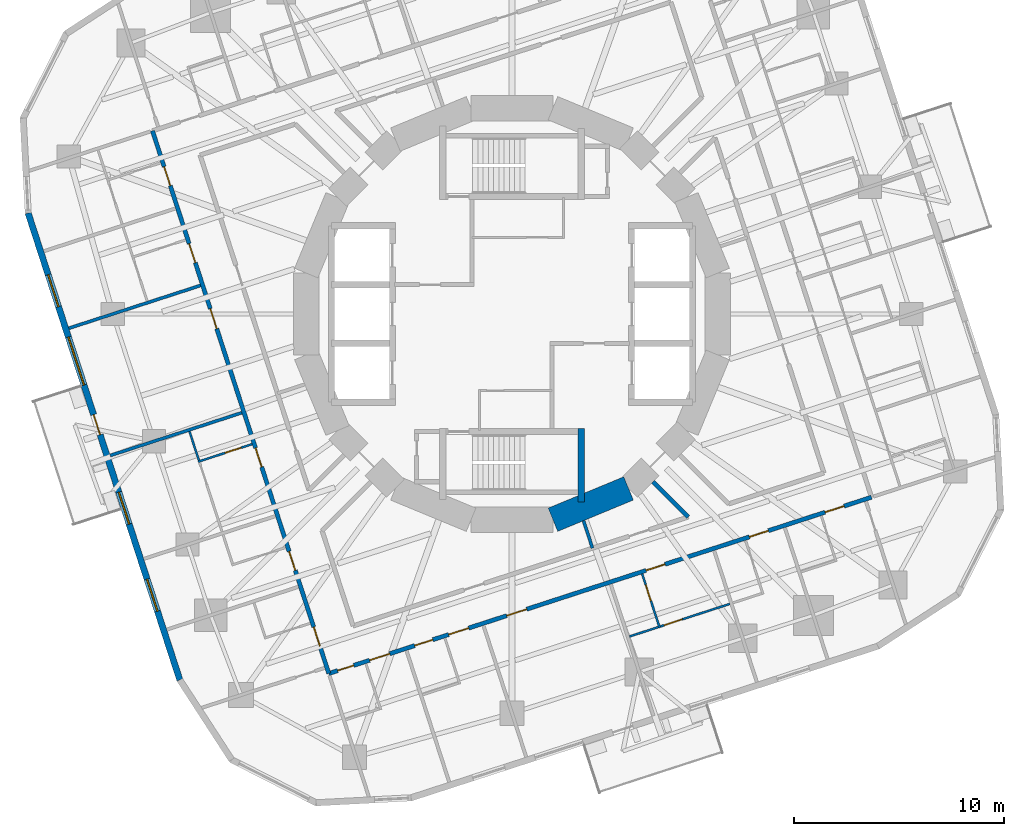
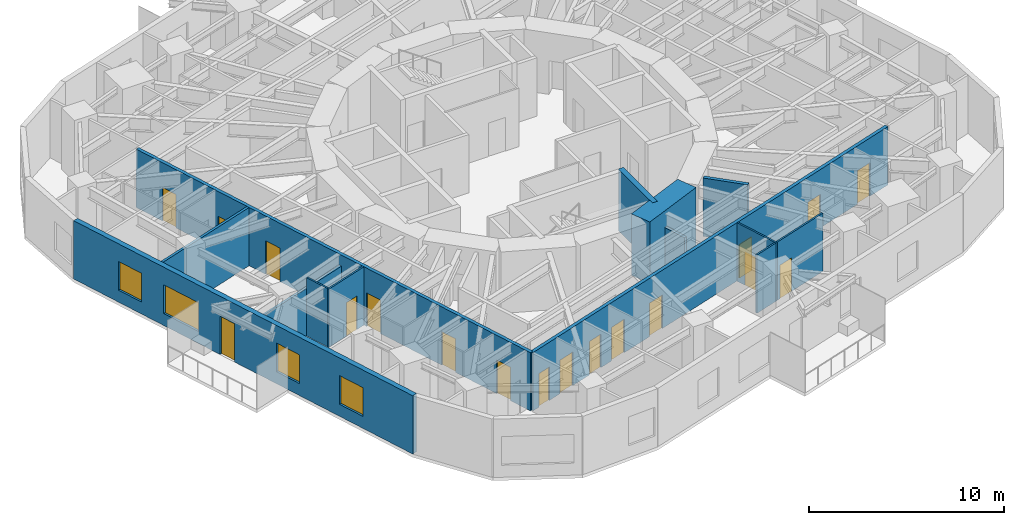
# One storey, part 5 of 12: 18 doors, 14 walls, 4 windows, 22 openings.
"""IFC4 building model written with IfcOpenShell, lengths in metres."""

from ifc_helpers import new_model, si_unit, direction, frame, frame_2d, origin, place, context, subcontext, project, spatial, rectangle, extrude, material, layer, layer_set, type_object, element, fill, save


model = new_model("IFC4")

# Units and contexts
model_context = context("Model", 3, precision=1e-05, world=origin(), true_north=direction((0.0, 1.0)))
body_context = subcontext(model_context, "Body", "Model", "MODEL_VIEW")
ifc_project = project(units=[si_unit("LENGTHUNIT", "METRE"), si_unit("AREAUNIT", "SQUARE_METRE"), si_unit("VOLUMEUNIT", "CUBIC_METRE"), si_unit("PLANEANGLEUNIT", "RADIAN"), si_unit("MASSUNIT", "GRAM", prefix="KILO")], contexts=[model_context])

# Site, building, storey
site_placement = place(None, origin())
site = spatial("IfcSite", under=ifc_project, at=site_placement, CompositionType="ELEMENT")
building_placement = place(site_placement, origin())
building = spatial("IfcBuilding", under=site, at=building_placement, Name="Nakasero Lantern House", CompositionType="ELEMENT")
storey_placement = place(building_placement, frame((0.0, 0.0, 145.64990234375)))
storey = spatial("IfcBuildingStorey", under=building, at=storey_placement, Name="L35", CompositionType="ELEMENT", Elevation=145.64990234375)

# Walls
ifc_material_1 = material(Name="Concrete C50/60", Category="concrete")
ifc_layer_1 = layer(ifc_material_1, 0.300048828125)
ifc_layer_set_1 = layer_set([ifc_layer_1], Name="Core inner wall 300")
wall_type_1 = type_object("IfcWallType", Name="Core inner wall 300", PredefinedType="SHEAR", material=ifc_layer_set_1)
wall_1_placement = place(storey_placement, frame((3.300048828125, -5.449951171875, 0.0), z_axis=(0.0, 0.0, 1.0), x_axis=(0.0, -1.0, 0.0)))
element("IfcWall", 1, at=wall_1_placement, inside=storey, type_object=wall_type_1, Name="Core inner wall L35 SSE", PredefinedType="SHEAR", context=body_context, shape_type="SweptSolid", body=[
    extrude(rectangle(XDim=3.5, YDim=0.300048828125, at=frame_2d((1.75, 0.0))), origin(), (0.0, 0.0, 1.0), 3.85009765625),
])
ifc_material_2 = material(Name="Concrete C50/60", Category="concrete")
ifc_layer_2 = layer(ifc_material_2, 1.199951171875)
ifc_layer_set_2 = layer_set([ifc_layer_2], Name="Core wall 1200")
wall_type_2 = type_object("IfcWallType", Name="Core wall 1200", PredefinedType="SHEAR", material=ifc_layer_set_2)
wall_2_placement = place(storey_placement, frame((1.950927734375, -9.807861328125, 0.0), z_axis=(0.0, 0.0, 1.0), x_axis=(0.923876507187, 0.382690736062, 0.0)))
element("IfcWall", 2, at=wall_2_placement, inside=storey, type_object=wall_type_2, Name="Core wall L35 facet 13", PredefinedType="SHEAR", context=body_context, shape_type="SweptSolid", body=[
    extrude(rectangle(XDim=3.90185546875, YDim=1.199951171875, at=frame_2d((1.950927734375, 0.0))), origin(), (0.0, 0.0, 1.0), 3.85009765625),
])

# Wall, openings, doors
ifc_material_3 = material(Name="Blockwork", Category="masonry")
ifc_layer_3 = layer(ifc_material_3, 0.199951171875)
ifc_layer_set_3 = layer_set([ifc_layer_3], Name="Corridor wall 200")
wall_type_3 = type_object("IfcWallType", Name="Corridor wall 200", PredefinedType="PARTITIONING", material=ifc_layer_set_3)
wall_3_placement = place(storey_placement, frame((-17.136962890625, 8.731689453125, 0.0), z_axis=(0.0, 0.0, 1.0), x_axis=(0.309018283835, -0.951056097323, 0.0)))
wall_3 = element("IfcWall", 3, at=wall_3_placement, inside=storey, type_object=wall_type_3, Name="Corridor wall L35 CW2", PredefinedType="PARTITIONING", context=body_context, shape_type="SweptSolid", body=[
    extrude(rectangle(XDim=27.199951171875, YDim=0.199951171875, at=frame_2d((13.60009765625, 0.0))), origin(), (0.0, 0.0, 1.0), 3.650146484375),
])
opening_1_placement = place(wall_3_placement, frame((1.800048828125, 0.0, 0.0)))
opening_1 = element("IfcOpeningElement", 4, at=opening_1_placement, cuts=wall_3, Name="Opening D01", PredefinedType="OPENING", context=body_context, shape_type="SweptSolid", body=[
    extrude(rectangle(XDim=0.949951171875, YDim=2.10009765625, at=frame_2d((0.47509765625, 1.050048828125))), frame((0.0, 0.119873046875, 0.0), z_axis=(0.0, -1.0, 0.0), x_axis=(1.0, 0.0, 0.0)), (0.0, 0.0, 1.0), 0.239990234375),
])
opening_2_placement = place(wall_3_placement, frame((5.659423828125, 0.0, 0.0)))
opening_2 = element("IfcOpeningElement", 5, at=opening_2_placement, cuts=wall_3, Name="Opening D01", PredefinedType="OPENING", context=body_context, shape_type="SweptSolid", body=[
    extrude(rectangle(XDim=0.949951171875, YDim=2.10009765625, at=frame_2d((0.47509765625, 1.050048828125))), frame((0.0, 0.119873046875, 0.0), z_axis=(0.0, -1.0, 0.0), x_axis=(1.0, 0.0, 0.0)), (0.0, 0.0, 1.0), 0.239990234375),
])
opening_3_placement = place(wall_3_placement, frame((15.89697265625, 0.0, 0.0)))
opening_3 = element("IfcOpeningElement", 6, at=opening_3_placement, cuts=wall_3, Name="Opening D01", PredefinedType="OPENING", context=body_context, shape_type="SweptSolid", body=[
    extrude(rectangle(XDim=0.949951171875, YDim=2.10009765625, at=frame_2d((0.47509765625, 1.050048828125))), frame((0.0, 0.119873046875, 0.0), z_axis=(0.0, -1.0, 0.0), x_axis=(1.0, 0.0, 0.0)), (0.0, 0.0, 1.0), 0.239990234375),
])
opening_4_placement = place(wall_3_placement, frame((21.078125, 0.0, 0.0)))
opening_4 = element("IfcOpeningElement", 7, at=opening_4_placement, cuts=wall_3, Name="Opening D01", PredefinedType="OPENING", context=body_context, shape_type="SweptSolid", body=[
    extrude(rectangle(XDim=0.949951171875, YDim=2.10009765625, at=frame_2d((0.47509765625, 1.050048828125))), frame((0.0, 0.119873046875, 0.0), z_axis=(0.0, -1.0, 0.0), x_axis=(1.0, 0.0, 0.0)), (0.0, 0.0, 1.0), 0.239990234375),
])
opening_5_placement = place(wall_3_placement, frame((24.872314453125, 0.0, 0.0)))
opening_5 = element("IfcOpeningElement", 8, at=opening_5_placement, cuts=wall_3, Name="Opening D01", PredefinedType="OPENING", context=body_context, shape_type="SweptSolid", body=[
    extrude(rectangle(XDim=0.949951171875, YDim=2.10009765625, at=frame_2d((0.47509765625, 1.050048828125))), frame((0.0, 0.119873046875, 0.0), z_axis=(0.0, -1.0, 0.0), x_axis=(1.0, 0.0, 0.0)), (0.0, 0.0, 1.0), 0.239990234375),
])
opening_6_placement = place(wall_3_placement, frame((8.9189453125, 0.0, 0.0)))
opening_6 = element("IfcOpeningElement", 9, at=opening_6_placement, cuts=wall_3, Name="Opening D03", PredefinedType="OPENING", context=body_context, shape_type="SweptSolid", body=[
    extrude(rectangle(XDim=1.0, YDim=2.10009765625, at=frame_2d((0.5, 1.050048828125))), frame((0.0, 0.119873046875, 0.0), z_axis=(0.0, -1.0, 0.0), x_axis=(1.0, 0.0, 0.0)), (0.0, 0.0, 1.0), 0.239990234375),
])
ifc_material_4 = material(Name="Timber C24", Category="wood")
door_type_1 = type_object("IfcDoorType", Name="Bedroom door FD30S 950", OperationType="SINGLE_SWING_LEFT", PredefinedType="DOOR", material=ifc_material_4)
door_1_placement = place(opening_1_placement, origin())
door_1 = element("IfcDoor", 10, at=door_1_placement, inside=storey, type_object=door_type_1, Name="Door L35 D2-00", OperationType="SINGLE_SWING_LEFT", OverallHeight=2.10009765625, OverallWidth=0.949951171875, PredefinedType="DOOR", context=body_context, shape_type="SweptSolid", body=[
    extrude(rectangle(XDim=0.949951171875, YDim=2.10009765625, at=frame_2d((0.47509765625, 1.050048828125))), frame((0.0, 0.02490234375, 0.0), z_axis=(0.0, -1.0, 0.0), x_axis=(1.0, 0.0, 0.0)), (0.0, 0.0, 1.0), 0.050048828125),
])
fill(opening_1, door_1)
door_2_placement = place(opening_2_placement, origin())
door_2 = element("IfcDoor", 11, at=door_2_placement, inside=storey, type_object=door_type_1, Name="Door L35 D2-01", OperationType="SINGLE_SWING_LEFT", OverallHeight=2.10009765625, OverallWidth=0.949951171875, PredefinedType="DOOR", context=body_context, shape_type="SweptSolid", body=[
    extrude(rectangle(XDim=0.949951171875, YDim=2.10009765625, at=frame_2d((0.47509765625, 1.050048828125))), frame((0.0, 0.02490234375, 0.0), z_axis=(0.0, -1.0, 0.0), x_axis=(1.0, 0.0, 0.0)), (0.0, 0.0, 1.0), 0.050048828125),
])
fill(opening_2, door_2)
door_3_placement = place(opening_3_placement, origin())
door_3 = element("IfcDoor", 12, at=door_3_placement, inside=storey, type_object=door_type_1, Name="Door L35 D2-04", OperationType="SINGLE_SWING_RIGHT", OverallHeight=2.10009765625, OverallWidth=0.949951171875, PredefinedType="DOOR", context=body_context, shape_type="SweptSolid", body=[
    extrude(rectangle(XDim=0.949951171875, YDim=2.10009765625, at=frame_2d((0.47509765625, 1.050048828125))), frame((0.0, 0.02490234375, 0.0), z_axis=(0.0, -1.0, 0.0), x_axis=(1.0, 0.0, 0.0)), (0.0, 0.0, 1.0), 0.050048828125),
])
fill(opening_3, door_3)
door_4_placement = place(opening_4_placement, origin())
door_4 = element("IfcDoor", 13, at=door_4_placement, inside=storey, type_object=door_type_1, Name="Door L35 D2-05", OperationType="SINGLE_SWING_RIGHT", OverallHeight=2.10009765625, OverallWidth=0.949951171875, PredefinedType="DOOR", context=body_context, shape_type="SweptSolid", body=[
    extrude(rectangle(XDim=0.949951171875, YDim=2.10009765625, at=frame_2d((0.47509765625, 1.050048828125))), frame((0.0, 0.02490234375, 0.0), z_axis=(0.0, -1.0, 0.0), x_axis=(1.0, 0.0, 0.0)), (0.0, 0.0, 1.0), 0.050048828125),
])
fill(opening_4, door_4)
door_5_placement = place(opening_5_placement, origin())
door_5 = element("IfcDoor", 14, at=door_5_placement, inside=storey, type_object=door_type_1, Name="Door L35 D2-06", OperationType="SINGLE_SWING_RIGHT", OverallHeight=2.10009765625, OverallWidth=0.949951171875, PredefinedType="DOOR", context=body_context, shape_type="SweptSolid", body=[
    extrude(rectangle(XDim=0.949951171875, YDim=2.10009765625, at=frame_2d((0.47509765625, 1.050048828125))), frame((0.0, 0.02490234375, 0.0), z_axis=(0.0, -1.0, 0.0), x_axis=(1.0, 0.0, 0.0)), (0.0, 0.0, 1.0), 0.050048828125),
])
fill(opening_5, door_5)
ifc_material_5 = material(Name="Timber C24", Category="wood")
door_type_2 = type_object("IfcDoorType", Name="Lounge door FD30S 1000", OperationType="SINGLE_SWING_LEFT", PredefinedType="DOOR", material=ifc_material_5)
door_6_placement = place(opening_6_placement, origin())
door_6 = element("IfcDoor", 15, at=door_6_placement, inside=storey, type_object=door_type_2, Name="Door L35 DK2", OperationType="SINGLE_SWING_LEFT", OverallHeight=2.10009765625, OverallWidth=1.0, PredefinedType="DOOR", context=body_context, shape_type="SweptSolid", body=[
    extrude(rectangle(XDim=1.0, YDim=2.10009765625, at=frame_2d((0.5, 1.050048828125))), frame((0.0, 0.02490234375, 0.0), z_axis=(0.0, -1.0, 0.0), x_axis=(1.0, 0.0, 0.0)), (0.0, 0.0, 1.0), 0.050048828125),
])
fill(opening_6, door_6)

wall_4_placement = place(storey_placement, frame((-8.731689453125, -17.136962890625, 0.0), z_axis=(0.0, 0.0, 1.0), x_axis=(0.951056097323, 0.309018283835, 0.0)))
wall_4 = element("IfcWall", 16, at=wall_4_placement, inside=storey, type_object=wall_type_3, Name="Corridor wall L35 CW3", PredefinedType="PARTITIONING", context=body_context, shape_type="SweptSolid", body=[
    extrude(rectangle(XDim=27.199951171875, YDim=0.199951171875, at=frame_2d((13.60009765625, 0.0))), origin(), (0.0, 0.0, 1.0), 3.650146484375),
])
opening_7_placement = place(wall_4_placement, frame((0.449951171875, 0.0, 0.0)))
opening_7 = element("IfcOpeningElement", 17, at=opening_7_placement, cuts=wall_4, Name="Opening D15", PredefinedType="OPENING", context=body_context, shape_type="SweptSolid", body=[
    extrude(rectangle(XDim=0.800048828125, YDim=2.10009765625, at=frame_2d((0.39990234375, 1.050048828125))), frame((0.0, 0.119873046875, 0.0), z_axis=(0.0, -1.0, 0.0), x_axis=(1.0, 0.0, 0.0)), (0.0, 0.0, 1.0), 0.239990234375),
])
opening_8_placement = place(wall_4_placement, frame((2.050048828125, 0.0, 0.0)))
opening_8 = element("IfcOpeningElement", 18, at=opening_8_placement, cuts=wall_4, Name="Opening D07", PredefinedType="OPENING", context=body_context, shape_type="SweptSolid", body=[
    extrude(rectangle(XDim=1.0, YDim=2.10009765625, at=frame_2d((0.5, 1.050048828125))), frame((0.0, 0.119873046875, 0.0), z_axis=(0.0, -1.0, 0.0), x_axis=(1.0, 0.0, 0.0)), (0.0, 0.0, 1.0), 0.239990234375),
])
opening_9_placement = place(wall_4_placement, frame((4.3095703125, 0.0, 0.0)))
opening_9 = element("IfcOpeningElement", 19, at=opening_9_placement, cuts=wall_4, Name="Opening D16", PredefinedType="OPENING", context=body_context, shape_type="SweptSolid", body=[
    extrude(rectangle(XDim=0.89990234375, YDim=2.10009765625, at=frame_2d((0.449951171875, 1.050048828125))), frame((0.0, 0.119873046875, 0.0), z_axis=(0.0, -1.0, 0.0), x_axis=(1.0, 0.0, 0.0)), (0.0, 0.0, 1.0), 0.239990234375),
])
opening_10_placement = place(wall_4_placement, frame((6.009521484375, 0.0, 0.0)))
opening_10 = element("IfcOpeningElement", 20, at=opening_10_placement, cuts=wall_4, Name="Opening D07", PredefinedType="OPENING", context=body_context, shape_type="SweptSolid", body=[
    extrude(rectangle(XDim=1.0, YDim=2.10009765625, at=frame_2d((0.5, 1.050048828125))), frame((0.0, 0.119873046875, 0.0), z_axis=(0.0, -1.0, 0.0), x_axis=(1.0, 0.0, 0.0)), (0.0, 0.0, 1.0), 0.239990234375),
])
opening_11_placement = place(wall_4_placement, frame((15.89697265625, 0.0, 0.0)))
opening_11 = element("IfcOpeningElement", 21, at=opening_11_placement, cuts=wall_4, Name="Opening D01", PredefinedType="OPENING", context=body_context, shape_type="SweptSolid", body=[
    extrude(rectangle(XDim=0.949951171875, YDim=2.10009765625, at=frame_2d((0.47509765625, 1.050048828125))), frame((0.0, 0.119873046875, 0.0), z_axis=(0.0, -1.0, 0.0), x_axis=(1.0, 0.0, 0.0)), (0.0, 0.0, 1.0), 0.239990234375),
])
opening_12_placement = place(wall_4_placement, frame((21.078125, 0.0, 0.0)))
opening_12 = element("IfcOpeningElement", 22, at=opening_12_placement, cuts=wall_4, Name="Opening D01", PredefinedType="OPENING", context=body_context, shape_type="SweptSolid", body=[
    extrude(rectangle(XDim=0.949951171875, YDim=2.10009765625, at=frame_2d((0.47509765625, 1.050048828125))), frame((0.0, 0.119873046875, 0.0), z_axis=(0.0, -1.0, 0.0), x_axis=(1.0, 0.0, 0.0)), (0.0, 0.0, 1.0), 0.239990234375),
])
opening_13_placement = place(wall_4_placement, frame((24.872314453125, 0.0, 0.0)))
opening_13 = element("IfcOpeningElement", 23, at=opening_13_placement, cuts=wall_4, Name="Opening D01", PredefinedType="OPENING", context=body_context, shape_type="SweptSolid", body=[
    extrude(rectangle(XDim=0.949951171875, YDim=2.10009765625, at=frame_2d((0.47509765625, 1.050048828125))), frame((0.0, 0.119873046875, 0.0), z_axis=(0.0, -1.0, 0.0), x_axis=(1.0, 0.0, 0.0)), (0.0, 0.0, 1.0), 0.239990234375),
])
opening_14_placement = place(wall_4_placement, frame((8.9189453125, 0.0, 0.0)))
opening_14 = element("IfcOpeningElement", 24, at=opening_14_placement, cuts=wall_4, Name="Opening D03", PredefinedType="OPENING", context=body_context, shape_type="SweptSolid", body=[
    extrude(rectangle(XDim=1.0, YDim=2.10009765625, at=frame_2d((0.5, 1.050048828125))), frame((0.0, 0.119873046875, 0.0), z_axis=(0.0, -1.0, 0.0), x_axis=(1.0, 0.0, 0.0)), (0.0, 0.0, 1.0), 0.239990234375),
])
ifc_material_6 = material(Name="Timber C24", Category="wood")
door_type_3 = type_object("IfcDoorType", Name="Accessible WC door 900", OperationType="SINGLE_SWING_RIGHT", PredefinedType="DOOR", material=ifc_material_6)
door_7_placement = place(opening_9_placement, origin())
door_7 = element("IfcDoor", 25, at=door_7_placement, inside=storey, type_object=door_type_3, Name="Door L35 DS3-01", OperationType="SINGLE_SWING_LEFT", OverallHeight=2.10009765625, OverallWidth=0.89990234375, PredefinedType="DOOR", context=body_context, shape_type="SweptSolid", body=[
    extrude(rectangle(XDim=0.89990234375, YDim=2.10009765625, at=frame_2d((0.449951171875, 1.050048828125))), frame((0.0, 0.02490234375, 0.0), z_axis=(0.0, -1.0, 0.0), x_axis=(1.0, 0.0, 0.0)), (0.0, 0.0, 1.0), 0.050048828125),
])
fill(opening_9, door_7)
door_8_placement = place(opening_11_placement, origin())
door_8 = element("IfcDoor", 26, at=door_8_placement, inside=storey, type_object=door_type_1, Name="Door L35 D3-04", OperationType="SINGLE_SWING_RIGHT", OverallHeight=2.10009765625, OverallWidth=0.949951171875, PredefinedType="DOOR", context=body_context, shape_type="SweptSolid", body=[
    extrude(rectangle(XDim=0.949951171875, YDim=2.10009765625, at=frame_2d((0.47509765625, 1.050048828125))), frame((0.0, 0.02490234375, 0.0), z_axis=(0.0, -1.0, 0.0), x_axis=(1.0, 0.0, 0.0)), (0.0, 0.0, 1.0), 0.050048828125),
])
fill(opening_11, door_8)
door_9_placement = place(opening_12_placement, origin())
door_9 = element("IfcDoor", 27, at=door_9_placement, inside=storey, type_object=door_type_1, Name="Door L35 D3-05", OperationType="SINGLE_SWING_RIGHT", OverallHeight=2.10009765625, OverallWidth=0.949951171875, PredefinedType="DOOR", context=body_context, shape_type="SweptSolid", body=[
    extrude(rectangle(XDim=0.949951171875, YDim=2.10009765625, at=frame_2d((0.47509765625, 1.050048828125))), frame((0.0, 0.02490234375, 0.0), z_axis=(0.0, -1.0, 0.0), x_axis=(1.0, 0.0, 0.0)), (0.0, 0.0, 1.0), 0.050048828125),
])
fill(opening_12, door_9)
door_10_placement = place(opening_13_placement, origin())
door_10 = element("IfcDoor", 28, at=door_10_placement, inside=storey, type_object=door_type_1, Name="Door L35 D3-06", OperationType="SINGLE_SWING_RIGHT", OverallHeight=2.10009765625, OverallWidth=0.949951171875, PredefinedType="DOOR", context=body_context, shape_type="SweptSolid", body=[
    extrude(rectangle(XDim=0.949951171875, YDim=2.10009765625, at=frame_2d((0.47509765625, 1.050048828125))), frame((0.0, 0.02490234375, 0.0), z_axis=(0.0, -1.0, 0.0), x_axis=(1.0, 0.0, 0.0)), (0.0, 0.0, 1.0), 0.050048828125),
])
fill(opening_13, door_10)
ifc_material_7 = material(Name="Timber C24", Category="wood")
door_type_4 = type_object("IfcDoorType", Name="Cleaner's store door FD30S 800", OperationType="SINGLE_SWING_LEFT", PredefinedType="DOOR", material=ifc_material_7)
door_11_placement = place(opening_7_placement, origin())
door_11 = element("IfcDoor", 29, at=door_11_placement, inside=storey, type_object=door_type_4, Name="Door L35 DS3-00", OperationType="SINGLE_SWING_LEFT", OverallHeight=2.10009765625, OverallWidth=0.800048828125, PredefinedType="DOOR", context=body_context, shape_type="SweptSolid", body=[
    extrude(rectangle(XDim=0.800048828125, YDim=2.10009765625, at=frame_2d((0.39990234375, 1.050048828125))), frame((0.0, 0.02490234375, 0.0), z_axis=(0.0, -1.0, 0.0), x_axis=(1.0, 0.0, 0.0)), (0.0, 0.0, 1.0), 0.050048828125),
])
fill(opening_7, door_11)
door_12_placement = place(opening_14_placement, origin())
door_12 = element("IfcDoor", 30, at=door_12_placement, inside=storey, type_object=door_type_2, Name="Door L35 DK3", OperationType="SINGLE_SWING_LEFT", OverallHeight=2.10009765625, OverallWidth=1.0, PredefinedType="DOOR", context=body_context, shape_type="SweptSolid", body=[
    extrude(rectangle(XDim=1.0, YDim=2.10009765625, at=frame_2d((0.5, 1.050048828125))), frame((0.0, 0.02490234375, 0.0), z_axis=(0.0, -1.0, 0.0), x_axis=(1.0, 0.0, 0.0)), (0.0, 0.0, 1.0), 0.050048828125),
])
fill(opening_14, door_12)
ifc_material_8 = material(Name="Timber C24", Category="wood")
door_type_5 = type_object("IfcDoorType", Name="Room door FD30S 1000", OperationType="SINGLE_SWING_LEFT", PredefinedType="DOOR", material=ifc_material_8)
door_13_placement = place(opening_8_placement, origin())
door_13 = element("IfcDoor", 31, at=door_13_placement, inside=storey, type_object=door_type_5, Name="Door L35 D3-00", OperationType="SINGLE_SWING_LEFT", OverallHeight=2.10009765625, OverallWidth=1.0, PredefinedType="DOOR", context=body_context, shape_type="SweptSolid", body=[
    extrude(rectangle(XDim=1.0, YDim=2.10009765625, at=frame_2d((0.5, 1.050048828125))), frame((0.0, 0.02490234375, 0.0), z_axis=(0.0, -1.0, 0.0), x_axis=(1.0, 0.0, 0.0)), (0.0, 0.0, 1.0), 0.050048828125),
])
fill(opening_8, door_13)
door_14_placement = place(opening_10_placement, origin())
door_14 = element("IfcDoor", 32, at=door_14_placement, inside=storey, type_object=door_type_5, Name="Door L35 D3-01", OperationType="SINGLE_SWING_LEFT", OverallHeight=2.10009765625, OverallWidth=1.0, PredefinedType="DOOR", context=body_context, shape_type="SweptSolid", body=[
    extrude(rectangle(XDim=1.0, YDim=2.10009765625, at=frame_2d((0.5, 1.050048828125))), frame((0.0, 0.02490234375, 0.0), z_axis=(0.0, -1.0, 0.0), x_axis=(1.0, 0.0, 0.0)), (0.0, 0.0, 1.0), 0.050048828125),
])
fill(opening_10, door_14)

# Wall
wall_5_placement = place(storey_placement, frame((6.72314453125, -7.995849609375, 0.0), z_axis=(0.0, 0.0, 1.0), x_axis=(0.707055424337, -0.707158134306, 0.0)))
element("IfcWall", 33, at=wall_5_placement, inside=storey, type_object=wall_type_3, Name="Corridor wall L35 PS14b", PredefinedType="PARTITIONING", context=body_context, shape_type="SweptSolid", body=[
    extrude(rectangle(XDim=2.376953125, YDim=0.199951171875, at=frame_2d((1.1884765625, 0.0))), origin(), (0.0, 0.0, 1.0), 3.650146484375),
])

# Wall, opening, door
ifc_material_9 = material(Name="Blockwork", Category="masonry")
ifc_layer_4 = layer(ifc_material_9, 0.10009765625)
ifc_layer_set_4 = layer_set([ifc_layer_4], Name="En-suite wall 100")
wall_type_4 = type_object("IfcWallType", Name="En-suite wall 100", PredefinedType="PARTITIONING", material=ifc_layer_set_4)
wall_6_placement = place(storey_placement, frame((-12.38916015625, -6.2041015625, 0.0), z_axis=(0.0, 0.0, 1.0), x_axis=(-0.951043371037, -0.309057448393, 0.0)))
wall_6 = element("IfcWall", 34, at=wall_6_placement, inside=storey, type_object=wall_type_4, Name="En-suite wall L35 ES2-04", PredefinedType="PARTITIONING", context=body_context, shape_type="SweptSolid", body=[
    extrude(rectangle(XDim=2.699951171875, YDim=0.10009765625, at=frame_2d((1.35009765625, 0.0))), origin(), (0.0, 0.0, 1.0), 3.650146484375),
])
opening_15_placement = place(wall_6_placement, frame((0.550048828125, 0.0, 0.0)))
opening_15 = element("IfcOpeningElement", 35, at=opening_15_placement, cuts=wall_6, Name="Opening D02", PredefinedType="OPENING", context=body_context, shape_type="SweptSolid", body=[
    extrude(rectangle(XDim=0.800048828125, YDim=2.10009765625, at=frame_2d((0.39990234375, 1.050048828125))), frame((0.0, 0.070068359375, 0.0), z_axis=(0.0, -1.0, 0.0), x_axis=(1.0, 0.0, 0.0)), (0.0, 0.0, 1.0), 0.14013671875),
])
ifc_material_10 = material(Name="Timber C24", Category="wood")
door_type_6 = type_object("IfcDoorType", Name="En-suite door 800", OperationType="SINGLE_SWING_RIGHT", PredefinedType="DOOR", material=ifc_material_10)
door_15_placement = place(opening_15_placement, origin())
door_15 = element("IfcDoor", 36, at=door_15_placement, inside=storey, type_object=door_type_6, Name="Door L35 DE2-04", OperationType="SINGLE_SWING_LEFT", OverallHeight=2.10009765625, OverallWidth=0.800048828125, PredefinedType="DOOR", context=body_context, shape_type="SweptSolid", body=[
    extrude(rectangle(XDim=0.800048828125, YDim=2.10009765625, at=frame_2d((0.39990234375, 1.050048828125))), frame((0.0, 0.02490234375, 0.0), z_axis=(0.0, -1.0, 0.0), x_axis=(1.0, 0.0, 0.0)), (0.0, 0.0, 1.0), 0.050048828125),
])
fill(opening_15, door_15)

# Wall
wall_7_placement = place(storey_placement, frame((-15.373046875, -5.596435546875, 0.0), z_axis=(0.0, 0.0, 1.0), x_axis=(0.309097492581, -0.951030357076, 0.0)))
element("IfcWall", 37, at=wall_7_placement, inside=storey, type_object=wall_type_4, Name="En-suite wall L35 EE2-04", PredefinedType="PARTITIONING", context=body_context, shape_type="SweptSolid", body=[
    extrude(rectangle(XDim=1.4501953125, YDim=0.10009765625, at=frame_2d((0.72509765625, 0.0))), origin(), (0.0, 0.0, 1.0), 3.650146484375),
])

# Wall, opening, door
wall_8_placement = place(storey_placement, frame((6.2041015625, -12.38916015625, 0.0), z_axis=(0.0, 0.0, 1.0), x_axis=(0.309057448393, -0.951043371037, 0.0)))
wall_8 = element("IfcWall", 38, at=wall_8_placement, inside=storey, type_object=wall_type_4, Name="En-suite wall L35 ES3-04", PredefinedType="PARTITIONING", context=body_context, shape_type="SweptSolid", body=[
    extrude(rectangle(XDim=2.699951171875, YDim=0.10009765625, at=frame_2d((1.35009765625, 0.0))), origin(), (0.0, 0.0, 1.0), 3.650146484375),
])
opening_16_placement = place(wall_8_placement, frame((0.550048828125, 0.0, 0.0)))
opening_16 = element("IfcOpeningElement", 39, at=opening_16_placement, cuts=wall_8, Name="Opening D02", PredefinedType="OPENING", context=body_context, shape_type="SweptSolid", body=[
    extrude(rectangle(XDim=0.800048828125, YDim=2.10009765625, at=frame_2d((0.39990234375, 1.050048828125))), frame((0.0, 0.070068359375, 0.0), z_axis=(0.0, -1.0, 0.0), x_axis=(1.0, 0.0, 0.0)), (0.0, 0.0, 1.0), 0.14013671875),
])
door_16_placement = place(opening_16_placement, origin())
door_16 = element("IfcDoor", 40, at=door_16_placement, inside=storey, type_object=door_type_6, Name="Door L35 DE3-04", OperationType="SINGLE_SWING_LEFT", OverallHeight=2.10009765625, OverallWidth=0.800048828125, PredefinedType="DOOR", context=body_context, shape_type="SweptSolid", body=[
    extrude(rectangle(XDim=0.800048828125, YDim=2.10009765625, at=frame_2d((0.39990234375, 1.050048828125))), frame((0.0, 0.02490234375, 0.0), z_axis=(0.0, -1.0, 0.0), x_axis=(1.0, 0.0, 0.0)), (0.0, 0.0, 1.0), 0.050048828125),
])
fill(opening_16, door_16)

# Wall
wall_9_placement = place(storey_placement, frame((5.596435546875, -15.373046875, 0.0), z_axis=(0.0, 0.0, 1.0), x_axis=(0.951030357076, 0.309097492581, 0.0)))
element("IfcWall", 41, at=wall_9_placement, inside=storey, type_object=wall_type_4, Name="En-suite wall L35 EE3-04", PredefinedType="PARTITIONING", context=body_context, shape_type="SweptSolid", body=[
    extrude(rectangle(XDim=1.4501953125, YDim=0.10009765625, at=frame_2d((0.72509765625, 0.0))), origin(), (0.0, 0.0, 1.0), 3.650146484375),
])

# Wall, opening, door
wall_10_placement = place(storey_placement, frame((7.070556640625, -14.89404296875, 0.0), z_axis=(0.0, 0.0, 1.0), x_axis=(0.951061380458, 0.309002023619, 0.0)))
wall_10 = element("IfcWall", 42, at=wall_10_placement, inside=storey, type_object=wall_type_4, Name="En-suite wall L35 EL3-04", PredefinedType="PARTITIONING", context=body_context, shape_type="SweptSolid", body=[
    extrude(rectangle(XDim=3.481201171875, YDim=0.10009765625, at=frame_2d((1.74072265625, 0.0))), origin(), (0.0, 0.0, 1.0), 3.650146484375),
])
opening_17_placement = place(wall_10_placement, frame((0.199951171875, 0.0, 0.0)))
opening_17 = element("IfcOpeningElement", 43, at=opening_17_placement, cuts=wall_10, Name="Opening D17", PredefinedType="OPENING", context=body_context, shape_type="SweptSolid", body=[
    extrude(rectangle(XDim=0.89990234375, YDim=2.10009765625, at=frame_2d((0.449951171875, 1.050048828125))), frame((0.0, 0.070068359375, 0.0), z_axis=(0.0, -1.0, 0.0), x_axis=(1.0, 0.0, 0.0)), (0.0, 0.0, 1.0), 0.14013671875),
])
ifc_material_11 = material(Name="Timber C24", Category="wood")
door_type_7 = type_object("IfcDoorType", Name="Bedroom door FD30S 900", OperationType="SINGLE_SWING_LEFT", PredefinedType="DOOR", material=ifc_material_11)
door_17_placement = place(opening_17_placement, origin())
door_17 = element("IfcDoor", 44, at=door_17_placement, inside=storey, type_object=door_type_7, Name="Door L35 DL3-04", OperationType="SINGLE_SWING_LEFT", OverallHeight=2.10009765625, OverallWidth=0.89990234375, PredefinedType="DOOR", context=body_context, shape_type="SweptSolid", body=[
    extrude(rectangle(XDim=0.89990234375, YDim=2.10009765625, at=frame_2d((0.449951171875, 1.050048828125))), frame((0.0, 0.02490234375, 0.0), z_axis=(0.0, -1.0, 0.0), x_axis=(1.0, 0.0, 0.0)), (0.0, 0.0, 1.0), 0.050048828125),
])
fill(opening_17, door_17)

# Wall, openings, door, windows
ifc_material_12 = material(Name="Aluminium rainscreen on blockwork", Category="masonry")
ifc_layer_5 = layer(ifc_material_12, 0.300048828125)
ifc_layer_set_5 = layer_set([ifc_layer_5], Name="Facade wall 300")
wall_type_5 = type_object("IfcWallType", Name="Facade wall 300", PredefinedType="SOLIDWALL", material=ifc_layer_set_5)
wall_11_placement = place(storey_placement, frame((-23.064697265625, 4.807861328125, 0.0), z_axis=(0.0, 0.0, 1.0), x_axis=(0.30902591324, -0.951053618334, 0.0)))
wall_11 = element("IfcWall", 45, at=wall_11_placement, inside=storey, type_object=wall_type_5, Name="Facade wall L35 FW2S", PredefinedType="SOLIDWALL", context=body_context, shape_type="SweptSolid", body=[
    extrude(rectangle(XDim=23.39990234375, YDim=0.300048828125, at=frame_2d((11.699951171875, 0.0))), origin(), (0.0, 0.0, 1.0), 3.650146484375),
])
opening_18_placement = place(wall_11_placement, frame((3.089111328125, 0.0, 0.75)))
opening_18 = element("IfcOpeningElement", 46, at=opening_18_placement, cuts=wall_11, Name="Opening W01", PredefinedType="OPENING", context=body_context, shape_type="SweptSolid", body=[
    extrude(rectangle(XDim=1.60009765625, YDim=1.800048828125, at=frame_2d((0.800048828125, 0.89990234375))), frame((0.0, 0.169921875, 0.0), z_axis=(0.0, -1.0, 0.0), x_axis=(1.0, 0.0, 0.0)), (0.0, 0.0, 1.0), 0.340087890625),
])
opening_19_placement = place(wall_11_placement, frame((13.987548828125, 0.0, 0.75)))
opening_19 = element("IfcOpeningElement", 47, at=opening_19_placement, cuts=wall_11, Name="Opening W01", PredefinedType="OPENING", context=body_context, shape_type="SweptSolid", body=[
    extrude(rectangle(XDim=1.60009765625, YDim=1.800048828125, at=frame_2d((0.800048828125, 0.89990234375))), frame((0.0, 0.169921875, 0.0), z_axis=(0.0, -1.0, 0.0), x_axis=(1.0, 0.0, 0.0)), (0.0, 0.0, 1.0), 0.340087890625),
])
opening_20_placement = place(wall_11_placement, frame((18.350341796875, 0.0, 0.75)))
opening_20 = element("IfcOpeningElement", 48, at=opening_20_placement, cuts=wall_11, Name="Opening W01", PredefinedType="OPENING", context=body_context, shape_type="SweptSolid", body=[
    extrude(rectangle(XDim=1.60009765625, YDim=1.800048828125, at=frame_2d((0.800048828125, 0.89990234375))), frame((0.0, 0.169921875, 0.0), z_axis=(0.0, -1.0, 0.0), x_axis=(1.0, 0.0, 0.0)), (0.0, 0.0, 1.0), 0.340087890625),
])
opening_21_placement = place(wall_11_placement, frame((6.21337890625, 0.0, 0.75)))
opening_21 = element("IfcOpeningElement", 49, at=opening_21_placement, cuts=wall_11, Name="Opening W03", PredefinedType="OPENING", context=body_context, shape_type="SweptSolid", body=[
    extrude(rectangle(XDim=2.39990234375, YDim=1.800048828125, at=frame_2d((1.199951171875, 0.89990234375))), frame((0.0, 0.169921875, 0.0), z_axis=(0.0, -1.0, 0.0), x_axis=(1.0, 0.0, 0.0)), (0.0, 0.0, 1.0), 0.340087890625),
])
opening_22_placement = place(wall_11_placement, frame((10.1025390625, 0.0, 0.0)))
opening_22 = element("IfcOpeningElement", 50, at=opening_22_placement, cuts=wall_11, Name="Opening D04", PredefinedType="OPENING", context=body_context, shape_type="SweptSolid", body=[
    extrude(rectangle(XDim=1.0, YDim=2.39990234375, at=frame_2d((0.5, 1.199951171875))), frame((0.0, 0.169921875, 0.0), z_axis=(0.0, -1.0, 0.0), x_axis=(1.0, 0.0, 0.0)), (0.0, 0.0, 1.0), 0.340087890625),
])
ifc_material_13 = material(Name="Aluminium 6063-T6 and glass", Category="aluminium")
door_type_8 = type_object("IfcDoorType", Name="Balcony door 1000x2400", OperationType="SINGLE_SWING_RIGHT", PredefinedType="DOOR", material=ifc_material_13)
door_18_placement = place(opening_22_placement, origin())
door_18 = element("IfcDoor", 51, at=door_18_placement, inside=storey, type_object=door_type_8, Name="Balcony door L35 DB2", OperationType="SINGLE_SWING_RIGHT", OverallHeight=2.39990234375, OverallWidth=1.0, PredefinedType="DOOR", context=body_context, shape_type="SweptSolid", body=[
    extrude(rectangle(XDim=1.0, YDim=2.39990234375, at=frame_2d((0.5, 1.199951171875))), frame((0.0, 0.02490234375, 0.0), z_axis=(0.0, -1.0, 0.0), x_axis=(1.0, 0.0, 0.0)), (0.0, 0.0, 1.0), 0.050048828125),
])
fill(opening_22, door_18)
ifc_material_14 = material(Name="Aluminium 6063-T6 and glass", Category="aluminium")
window_type_1 = type_object("IfcWindowType", Name="Bedroom window 1600x1800", PartitioningType="SINGLE_PANEL", PredefinedType="WINDOW", material=ifc_material_14)
window_1_placement = place(opening_18_placement, origin())
window_1 = element("IfcWindow", 52, at=window_1_placement, inside=storey, type_object=window_type_1, Name="Window L35 WN2-01", OverallHeight=1.800048828125, OverallWidth=1.60009765625, PartitioningType="SINGLE_PANEL", PredefinedType="WINDOW", context=body_context, shape_type="SweptSolid", body=[
    extrude(rectangle(XDim=1.60009765625, YDim=1.800048828125, at=frame_2d((0.800048828125, 0.89990234375))), frame((0.0, 0.030029296875, 0.0), z_axis=(0.0, -1.0, 0.0), x_axis=(1.0, 0.0, 0.0)), (0.0, 0.0, 1.0), 0.06005859375),
])
fill(opening_18, window_1)
window_2_placement = place(opening_19_placement, origin())
window_2 = element("IfcWindow", 53, at=window_2_placement, inside=storey, type_object=window_type_1, Name="Window L35 WN2-04", OverallHeight=1.800048828125, OverallWidth=1.60009765625, PartitioningType="SINGLE_PANEL", PredefinedType="WINDOW", context=body_context, shape_type="SweptSolid", body=[
    extrude(rectangle(XDim=1.60009765625, YDim=1.800048828125, at=frame_2d((0.800048828125, 0.89990234375))), frame((0.0, 0.030029296875, 0.0), z_axis=(0.0, -1.0, 0.0), x_axis=(1.0, 0.0, 0.0)), (0.0, 0.0, 1.0), 0.06005859375),
])
fill(opening_19, window_2)
window_3_placement = place(opening_20_placement, origin())
window_3 = element("IfcWindow", 54, at=window_3_placement, inside=storey, type_object=window_type_1, Name="Window L35 WN2-05", OverallHeight=1.800048828125, OverallWidth=1.60009765625, PartitioningType="SINGLE_PANEL", PredefinedType="WINDOW", context=body_context, shape_type="SweptSolid", body=[
    extrude(rectangle(XDim=1.60009765625, YDim=1.800048828125, at=frame_2d((0.800048828125, 0.89990234375))), frame((0.0, 0.030029296875, 0.0), z_axis=(0.0, -1.0, 0.0), x_axis=(1.0, 0.0, 0.0)), (0.0, 0.0, 1.0), 0.06005859375),
])
fill(opening_20, window_3)
ifc_material_15 = material(Name="Aluminium 6063-T6 and glass", Category="aluminium")
window_type_2 = type_object("IfcWindowType", Name="Lounge window 2400x1800", PartitioningType="SINGLE_PANEL", PredefinedType="WINDOW", material=ifc_material_15)
window_4_placement = place(opening_21_placement, origin())
window_4 = element("IfcWindow", 55, at=window_4_placement, inside=storey, type_object=window_type_2, Name="Window L35 WK2", OverallHeight=1.800048828125, OverallWidth=2.39990234375, PartitioningType="SINGLE_PANEL", PredefinedType="WINDOW", context=body_context, shape_type="SweptSolid", body=[
    extrude(rectangle(XDim=2.39990234375, YDim=1.800048828125, at=frame_2d((1.199951171875, 0.89990234375))), frame((0.0, 0.030029296875, 0.0), z_axis=(0.0, -1.0, 0.0), x_axis=(1.0, 0.0, 0.0)), (0.0, 0.0, 1.0), 0.06005859375),
])
fill(opening_21, window_4)

# Walls
ifc_material_16 = material(Name="Blockwork", Category="masonry")
ifc_layer_6 = layer(ifc_material_16, 0.14990234375)
ifc_layer_set_6 = layer_set([ifc_layer_6], Name="Party wall 150")
wall_type_6 = type_object("IfcWallType", Name="Party wall 150", PredefinedType="PARTITIONING", material=ifc_layer_set_6)
wall_12_placement = place(storey_placement, frame((-14.846923828125, 1.359619140625, 0.0), z_axis=(0.0, 0.0, 1.0), x_axis=(-0.951053095941, -0.309027520945, 0.0)))
element("IfcWall", 56, at=wall_12_placement, inside=storey, type_object=wall_type_6, Name="Party wall L35 PW2-02", PredefinedType="PARTITIONING", context=body_context, shape_type="SweptSolid", body=[
    extrude(rectangle(XDim=6.599853515625, YDim=0.14990234375, at=frame_2d((3.2998046875, 0.0))), origin(), (0.0, 0.0, 1.0), 3.650146484375),
])
wall_13_placement = place(storey_placement, frame((-12.8759765625, -4.706298828125, 0.0), z_axis=(0.0, 0.0, 1.0), x_axis=(-0.951053095941, -0.309027520945, 0.0)))
element("IfcWall", 57, at=wall_13_placement, inside=storey, type_object=wall_type_6, Name="Party wall L35 PW2-04", PredefinedType="PARTITIONING", context=body_context, shape_type="SweptSolid", body=[
    extrude(rectangle(XDim=6.599853515625, YDim=0.14990234375, at=frame_2d((3.2998046875, 0.0))), origin(), (0.0, 0.0, 1.0), 2.966552734375),
])
wall_14_placement = place(storey_placement, frame((3.836669921875, -11.16064453125, 0.0), z_axis=(0.0, 0.0, 1.0), x_axis=(-0.309138236978, 0.951017113641, 0.0)))
element("IfcWall", 58, at=wall_14_placement, inside=storey, type_object=wall_type_6, Name="Party wall L35 IM3", PredefinedType="PARTITIONING", context=body_context, shape_type="SweptSolid", body=[
    extrude(rectangle(XDim=1.375732421875, YDim=0.14990234375, at=frame_2d((0.68798828125, 0.0))), origin(), (0.0, 0.0, 1.0), 2.809326171875),
])

save(model, "model.ifc")
